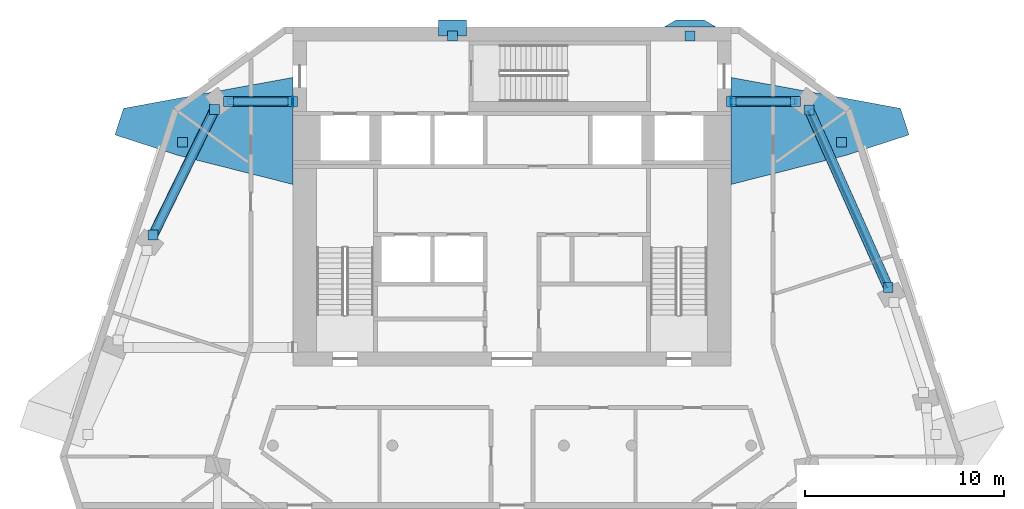
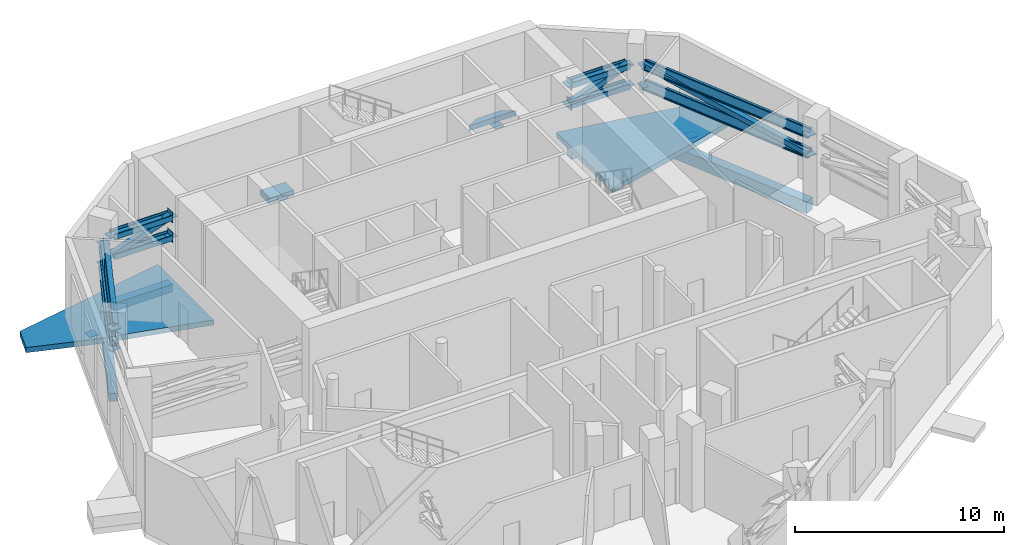
# One storey, part 5 of 15: 24 discrete accessories, 16 members, 4 beams.
"""IFC4 building model written with IfcOpenShell, lengths in metres."""

from ifc_helpers import new_model, si_unit, direction, frame, origin, origin_2d, place, context, subcontext, project, spatial, polyline, rectangle, hollow_rectangle, i_section, outline, extrude, material, layer, layer_set, material_profile, profile_set, type_object, element, aggregate, save


model = new_model("IFC4")

# Units and contexts
model_context = context("Model", 3, precision=1e-05, world=origin(), true_north=direction((0.0, 1.0)))
body_context = subcontext(model_context, "Body", "Model", "MODEL_VIEW")
ifc_project = project(units=[si_unit("LENGTHUNIT", "METRE"), si_unit("AREAUNIT", "SQUARE_METRE"), si_unit("VOLUMEUNIT", "CUBIC_METRE"), si_unit("PLANEANGLEUNIT", "RADIAN"), si_unit("MASSUNIT", "GRAM", prefix="KILO")], contexts=[model_context])

# Site, building, storey
site_placement = place(None, origin())
site = spatial("IfcSite", under=ifc_project, at=site_placement, CompositionType="ELEMENT")
building_placement = place(site_placement, origin())
building = spatial("IfcBuilding", under=site, at=building_placement, Name="White Candle Pilgrim Tower", CompositionType="ELEMENT")
storey_placement = place(building_placement, frame((0.0, 0.0, 295.10009765625)))
storey = spatial("IfcBuildingStorey", under=building, at=storey_placement, Name="L70", CompositionType="ELEMENT", Elevation=295.10009765625)

# Member
ifc_material_1 = material(Name="Steel S355", Category="steel")
ifc_material_profile_1 = material_profile(ifc_material_1, i_section(OverallWidth=0.305908203125, OverallDepth=0.52392578125, WebThickness=0.02099609375, FlangeThickness=0.0400390625, FilletRadius=0.027099609375, at=origin_2d()), Name="HEM 500")
ifc_profile_set_1 = profile_set([ifc_material_profile_1], Name="Steel S355")
member_type_1 = type_object("IfcMemberType", Name="Belt truss chord HEM 500 S355", PredefinedType="CHORD", material=ifc_profile_set_1)
member_1_placement = place(storey_placement, frame((88.876708984375, 74.9267578125, 2.411865234375), z_axis=(-0.406834969126, 0.913501673724, 0.0), x_axis=(0.834485855277, 0.371644669006, -0.406833623663)))
member_1 = element("IfcMember", 1, at=member_1_placement, inside=storey, type_object=member_type_1, Name="L70 belt truss bottom chord 09", PredefinedType="CHORD", context=body_context, shape_type="SweptSolid", body=[
    extrude(i_section(OverallWidth=0.305908203125, OverallDepth=0.52392578125, WebThickness=0.02099609375, FlangeThickness=0.0400390625, FilletRadius=0.027099609375, at=origin_2d()), origin(), (0.0, 0.0, 1.0), 9.755126953125),
])

member_2_placement = place(storey_placement, frame((88.876708984375, 74.9267578125, 3.577880859375), z_axis=(-0.406834969126, 0.913501673724, 0.0), x_axis=(0.834485855277, 0.371644669006, -0.406833623663)))
member_2 = element("IfcMember", 2, at=member_2_placement, inside=storey, type_object=member_type_1, Name="L70 belt truss top chord 09", PredefinedType="CHORD", context=body_context, shape_type="SweptSolid", body=[
    extrude(i_section(OverallWidth=0.305908203125, OverallDepth=0.52392578125, WebThickness=0.02099609375, FlangeThickness=0.0400390625, FilletRadius=0.027099609375, at=origin_2d()), origin(), (0.0, 0.0, 1.0), 9.755126953125),
])

member_3_placement = place(storey_placement, frame((84.2255859375, 84.260009765625, 2.411865234375), z_axis=(-1.0, 0.0, 0.0), x_axis=(0.0, 0.0, -1.0)))
member_3 = element("IfcMember", 3, at=member_3_placement, inside=storey, type_object=member_type_1, Name="L70 belt truss bottom chord 10", PredefinedType="CHORD", context=body_context, shape_type="SweptSolid", body=[
    extrude(i_section(OverallWidth=0.305908203125, OverallDepth=0.52392578125, WebThickness=0.02099609375, FlangeThickness=0.0400390625, FilletRadius=0.027099609375, at=origin_2d()), origin(), (0.0, 0.0, 1.0), 3.2255859375),
])

member_4_placement = place(storey_placement, frame((84.2255859375, 84.260009765625, 3.577880859375), z_axis=(-1.0, 0.0, 0.0), x_axis=(0.0, 0.0, -1.0)))
member_4 = element("IfcMember", 4, at=member_4_placement, inside=storey, type_object=member_type_1, Name="L70 belt truss top chord 10", PredefinedType="CHORD", context=body_context, shape_type="SweptSolid", body=[
    extrude(i_section(OverallWidth=0.305908203125, OverallDepth=0.52392578125, WebThickness=0.02099609375, FlangeThickness=0.0400390625, FilletRadius=0.027099609375, at=origin_2d()), origin(), (0.0, 0.0, 1.0), 3.2255859375),
])

member_5_placement = place(storey_placement, frame((55.7744140625, 84.260009765625, 2.411865234375), z_axis=(1.0, 0.0, 0.0), x_axis=(0.0, 0.0, 1.0)))
member_5 = element("IfcMember", 5, at=member_5_placement, inside=storey, type_object=member_type_1, Name="L70 belt truss bottom chord 11", PredefinedType="CHORD", context=body_context, shape_type="SweptSolid", body=[
    extrude(i_section(OverallWidth=0.305908203125, OverallDepth=0.52392578125, WebThickness=0.02099609375, FlangeThickness=0.0400390625, FilletRadius=0.027099609375, at=origin_2d()), origin(), (0.0, 0.0, 1.0), 3.2255859375),
])

member_6_placement = place(storey_placement, frame((55.7744140625, 84.260009765625, 3.577880859375), z_axis=(1.0, 0.0, 0.0), x_axis=(0.0, 0.0, 1.0)))
member_6 = element("IfcMember", 6, at=member_6_placement, inside=storey, type_object=member_type_1, Name="L70 belt truss top chord 11", PredefinedType="CHORD", context=body_context, shape_type="SweptSolid", body=[
    extrude(i_section(OverallWidth=0.305908203125, OverallDepth=0.52392578125, WebThickness=0.02099609375, FlangeThickness=0.0400390625, FilletRadius=0.027099609375, at=origin_2d()), origin(), (0.0, 0.0, 1.0), 3.2255859375),
])

member_7_placement = place(storey_placement, frame((55.080810546875, 83.853759765625, 2.411865234375), z_axis=(-0.440604884501, -0.897701139441, 0.0), x_axis=(0.805869253672, -0.395532448202, -0.440600531554)))
member_7 = element("IfcMember", 7, at=member_7_placement, inside=storey, type_object=member_type_1, Name="L70 belt truss bottom chord 12", PredefinedType="CHORD", context=body_context, shape_type="SweptSolid", body=[
    extrude(i_section(OverallWidth=0.305908203125, OverallDepth=0.52392578125, WebThickness=0.02099609375, FlangeThickness=0.0400390625, FilletRadius=0.027099609375, at=origin_2d()), origin(), (0.0, 0.0, 1.0), 7.01708984375),
])

member_8_placement = place(storey_placement, frame((55.080810546875, 83.853759765625, 3.577880859375), z_axis=(-0.440604884501, -0.897701139441, 0.0), x_axis=(0.805869253672, -0.395532448202, -0.440600531554)))
member_8 = element("IfcMember", 8, at=member_8_placement, inside=storey, type_object=member_type_1, Name="L70 belt truss top chord 12", PredefinedType="CHORD", context=body_context, shape_type="SweptSolid", body=[
    extrude(i_section(OverallWidth=0.305908203125, OverallDepth=0.52392578125, WebThickness=0.02099609375, FlangeThickness=0.0400390625, FilletRadius=0.027099609375, at=origin_2d()), origin(), (0.0, 0.0, 1.0), 7.01708984375),
])

# Members
ifc_material_profile_2 = material_profile(ifc_material_1, hollow_rectangle(XDim=0.300048828125, YDim=0.300048828125, WallThickness=0.01611328125, at=origin_2d()), Name="SHS 300x300x16")
ifc_profile_set_2 = profile_set([ifc_material_profile_2], Name="Steel S355")
member_type_2 = type_object("IfcMemberType", Name="Belt truss diagonal SHS 300x300x16 S355", PredefinedType="BRACE", material=ifc_profile_set_2)
member_9_placement = place(storey_placement, frame((88.876708984375, 74.9267578125, 2.411865234375), z_axis=(-0.403959539495, 0.90704522337, 0.118682994625), x_axis=(-0.913501673724, -0.406834969126, 0.0)))
element("IfcMember", 9, at=member_9_placement, inside=storey, type_object=member_type_2, Name="L70 belt truss diagonal 09", PredefinedType="BRACE", context=body_context, shape_type="SweptSolid", body=[
    extrude(hollow_rectangle(XDim=0.300048828125, YDim=0.300048828125, WallThickness=0.01611328125, at=origin_2d()), origin(), (0.0, 0.0, 1.0), 9.82470703125),
])
for number, where, z_axis, x_axis, name in (
    (10, (84.2255859375, 84.260009765625, 3.577880859375), (-0.940440152135, 0.0, -0.339959292052), (0.0, -1.0, 0.0), "L70 belt truss diagonal 10"),
    (11, (55.7744140625, 84.260009765625, 2.411865234375), (0.940440152135, 0.0, 0.339959292052), (0.0, 1.0, 0.0), "L70 belt truss diagonal 11"),
):
    element("IfcMember", number, at=place(storey_placement, frame(where, z_axis=z_axis, x_axis=x_axis)), inside=storey, type_object=member_type_2, Name=name, PredefinedType="BRACE", context=body_context, shape_type="SweptSolid", body=[
        extrude(hollow_rectangle(XDim=0.300048828125, YDim=0.300048828125, WallThickness=0.01611328125, at=origin_2d()), origin(), (0.0, 0.0, 1.0), 3.429931640625),
    ])
member_10_placement = place(storey_placement, frame((55.080810546875, 83.853759765625, 3.577880859375), z_axis=(-0.434645202791, -0.885558711499, -0.1639186267), x_axis=(0.897701139441, -0.440604884501, 0.0)))
element("IfcMember", 12, at=member_10_placement, inside=storey, type_object=member_type_2, Name="L70 belt truss diagonal 12", PredefinedType="BRACE", context=body_context, shape_type="SweptSolid", body=[
    extrude(hollow_rectangle(XDim=0.300048828125, YDim=0.300048828125, WallThickness=0.01611328125, at=origin_2d()), origin(), (0.0, 0.0, 1.0), 7.11328125),
])

# Member
ifc_material_2 = material(Name="Concrete C70/85, white", Category="concrete")
ifc_layer_1 = layer(ifc_material_2, 0.300048828125)
ifc_layer_set_1 = layer_set([ifc_layer_1], Name="Node tie strut 3350x1400x300 C70/85")
member_type_3 = type_object("IfcMemberType", Name="Node tie strut 3350x1400x300 C70/85", PredefinedType="STRUT", material=ifc_layer_set_1)
member_11_placement = place(storey_placement, frame((0.0, 0.0, -0.300048828125)))
member_11 = element("IfcMember", 13, at=member_11_placement, inside=storey, type_object=member_type_3, Name="Node tie strut NC240", PredefinedType="STRUT", context=body_context, shape_type="SweptSolid", body=[
    extrude(outline(polyline([(81.0, 80.1005859375), (86.737060546875, 81.551025390625), (89.923095703125, 82.586181640625), (89.490478515625, 83.91748046875), (81.0, 85.466064453125), (81.0, 80.1005859375)])), origin(), (0.0, 0.0, 1.0), 0.300048828125),
])

member_12_placement = place(storey_placement, frame((0.0, 0.0, -0.300048828125)))
member_12 = element("IfcMember", 14, at=member_12_placement, inside=storey, type_object=member_type_3, Name="Node tie strut NC247", PredefinedType="STRUT", context=body_context, shape_type="SweptSolid", body=[
    extrude(outline(polyline([(59.0, 80.1005859375), (59.0, 85.466064453125), (50.509521484375, 83.91748046875), (50.076904296875, 82.586181640625), (53.262939453125, 81.551025390625), (59.0, 80.1005859375)])), origin(), (0.0, 0.0, 1.0), 0.300048828125),
])

ifc_layer_2 = layer(ifc_material_2, 0.300048828125)
ifc_layer_set_2 = layer_set([ifc_layer_2], Name="Node tie strut 800x1400x300 C70/85")
member_type_4 = type_object("IfcMemberType", Name="Node tie strut 800x1400x300 C70/85", PredefinedType="STRUT", material=ifc_layer_set_2)
member_13_placement = place(storey_placement, frame((0.0, 0.0, -0.300048828125)))
member_13 = element("IfcMember", 15, at=member_13_placement, inside=storey, type_object=member_type_4, Name="Node tie strut NC241", PredefinedType="STRUT", context=body_context, shape_type="SweptSolid", body=[
    extrude(outline(polyline([(77.636962890625, 88.0), (80.237060546875, 88.0), (79.636962890625, 88.35009765625), (78.237060546875, 88.35009765625), (77.636962890625, 88.0)])), origin(), (0.0, 0.0, 1.0), 0.300048828125),
])

member_14_placement = place(storey_placement, frame((67.02099609375, 87.949951171875, -0.30029296875), z_axis=(0.0, 0.0, 1.0), x_axis=(-1.0, 0.0, 0.0)))
member_14 = element("IfcMember", 16, at=member_14_placement, inside=storey, type_object=member_type_4, Name="Node tie strut NC242", PredefinedType="STRUT", context=body_context, shape_type="SweptSolid", body=[
    extrude(rectangle(XDim=1.39990234375, YDim=0.800048828125, at=origin_2d()), origin(), (0.0, 0.0, 1.0), 0.300048828125),
])

# Beams
ifc_material_3 = material(Name="Concrete C50/60", Category="concrete")
ifc_material_profile_3 = material_profile(ifc_material_3, rectangle(XDim=0.449951171875, YDim=0.449951171875, at=origin_2d()), Name="RC-BM 450x450")
ifc_profile_set_3 = profile_set([ifc_material_profile_3], Name="Concrete C50/60")
beam_type_1 = type_object("IfcBeamType", Name="Spandrel beam RC-BM 450x450 C50/60", PredefinedType="BEAM", material=ifc_profile_set_3)
for number, where, z_axis, x_axis, name in (
    (17, (84.2255859375, 84.260009765625, -0.525146484375), (-1.0, 0.0, 0.0), (0.0, -1.0, 0.0), "L70 spandrel beam T10"),
    (18, (55.7744140625, 84.260009765625, -0.525146484375), (1.0, 0.0, 0.0), (0.0, 1.0, 0.0), "L70 spandrel beam T11"),
):
    element("IfcBeam", number, at=place(storey_placement, frame(where, z_axis=z_axis, x_axis=x_axis)), inside=storey, type_object=beam_type_1, Name=name, PredefinedType="BEAM", context=body_context, shape_type="SweptSolid", body=[
        extrude(rectangle(XDim=0.449951171875, YDim=0.449951171875, at=origin_2d()), origin(), (0.0, 0.0, 1.0), 3.2255859375),
    ])
beam_1_placement = place(storey_placement, frame((55.080810546875, 83.853759765625, -0.525146484375), z_axis=(-0.440604884501, -0.897701139441, 0.0), x_axis=(0.897701139441, -0.440604884501, 0.0)))
element("IfcBeam", 19, at=beam_1_placement, inside=storey, type_object=beam_type_1, Name="L70 spandrel beam T12", PredefinedType="BEAM", context=body_context, shape_type="SweptSolid", body=[
    extrude(rectangle(XDim=0.449951171875, YDim=0.449951171875, at=origin_2d()), origin(), (0.0, 0.0, 1.0), 7.01708984375),
])
ifc_material_profile_4 = material_profile(ifc_material_3, rectangle(XDim=0.5, YDim=0.699951171875, at=origin_2d()), Name="RC-BM 500x700")
ifc_profile_set_4 = profile_set([ifc_material_profile_4], Name="Concrete C50/60")
beam_type_2 = type_object("IfcBeamType", Name="Spandrel beam RC-BM 500x700 C50/60", PredefinedType="BEAM", material=ifc_profile_set_4)
beam_2_placement = place(storey_placement, frame((88.876708984375, 74.9267578125, -0.650146484375), z_axis=(-0.406834969126, 0.913501673724, 0.0), x_axis=(-0.913501673724, -0.406834969126, 0.0)))
element("IfcBeam", 20, at=beam_2_placement, inside=storey, type_object=beam_type_2, Name="L70 spandrel beam T09", PredefinedType="BEAM", context=body_context, shape_type="SweptSolid", body=[
    extrude(rectangle(XDim=0.5, YDim=0.699951171875, at=origin_2d()), origin(), (0.0, 0.0, 1.0), 9.755126953125),
])

# Discrete accessory
ifc_layer_3 = layer(ifc_material_1, 0.030029296875)
ifc_layer_set_3 = layer_set([ifc_layer_3], Name="Cast-in plate 500x600x30 S355")
discrete_accessory_type_1 = type_object("IfcDiscreteAccessoryType", Name="Cast-in plate 500x600x30 S355", PredefinedType="ANCHORPLATE", material=ifc_layer_set_3)
discrete_accessory_1_placement = place(storey_placement, frame((81.0, 84.260009765625, 2.11181640625), z_axis=(0.0, 0.0, 1.0), x_axis=(1.0, 0.0, 0.0)))
discrete_accessory_1 = element("IfcDiscreteAccessory", 21, at=discrete_accessory_1_placement, type_object=discrete_accessory_type_1, Name="Cast-in plate 0037", PredefinedType="ANCHORPLATE", context=body_context, shape_type="SweptSolid", body=[
    extrude(rectangle(XDim=0.030029296875, YDim=0.5, at=origin_2d()), origin(), (0.0, 0.0, 1.0), 0.60009765625),
])

discrete_accessory_2_placement = place(storey_placement, frame((81.0, 84.260009765625, 3.27783203125), z_axis=(0.0, 0.0, 1.0), x_axis=(1.0, 0.0, 0.0)))
discrete_accessory_2 = element("IfcDiscreteAccessory", 22, at=discrete_accessory_2_placement, type_object=discrete_accessory_type_1, Name="Cast-in plate 0038", PredefinedType="ANCHORPLATE", context=body_context, shape_type="SweptSolid", body=[
    extrude(rectangle(XDim=0.030029296875, YDim=0.5, at=origin_2d()), origin(), (0.0, 0.0, 1.0), 0.60009765625),
])

discrete_accessory_3_placement = place(storey_placement, frame((59.0, 84.260009765625, 2.11181640625), z_axis=(0.0, 0.0, 1.0), x_axis=(-1.0, 0.0, 0.0)))
discrete_accessory_3 = element("IfcDiscreteAccessory", 23, at=discrete_accessory_3_placement, type_object=discrete_accessory_type_1, Name="Cast-in plate 0039", PredefinedType="ANCHORPLATE", context=body_context, shape_type="SweptSolid", body=[
    extrude(rectangle(XDim=0.030029296875, YDim=0.5, at=origin_2d()), origin(), (0.0, 0.0, 1.0), 0.60009765625),
])

discrete_accessory_4_placement = place(storey_placement, frame((59.0, 84.260009765625, 3.27783203125), z_axis=(0.0, 0.0, 1.0), x_axis=(-1.0, 0.0, 0.0)))
discrete_accessory_4 = element("IfcDiscreteAccessory", 24, at=discrete_accessory_4_placement, type_object=discrete_accessory_type_1, Name="Cast-in plate 0040", PredefinedType="ANCHORPLATE", context=body_context, shape_type="SweptSolid", body=[
    extrude(rectangle(XDim=0.030029296875, YDim=0.5, at=origin_2d()), origin(), (0.0, 0.0, 1.0), 0.60009765625),
])

ifc_layer_4 = layer(ifc_material_1, 0.02490234375)
ifc_layer_set_4 = layer_set([ifc_layer_4], Name="Gusset plate 500x500x25 S355")
discrete_accessory_type_2 = type_object("IfcDiscreteAccessoryType", Name="Gusset plate 500x500x25 S355", PredefinedType="BRACKET", material=ifc_layer_set_4)
discrete_accessory_5_placement = place(storey_placement, frame((86.520751953125, 82.216796875, -0.16259765625), z_axis=(0.0, 0.0, 1.0), x_axis=(1.0, 0.0, 0.0)))
discrete_accessory_5 = element("IfcDiscreteAccessory", 25, at=discrete_accessory_5_placement, type_object=discrete_accessory_type_2, Name="Gusset plate 0621", PredefinedType="BRACKET", context=body_context, shape_type="SweptSolid", body=[
    extrude(rectangle(XDim=0.5, YDim=0.5, at=origin_2d()), origin(), (0.0, 0.0, 1.0), 0.02490234375),
])

aggregate(member_11, [discrete_accessory_5])

discrete_accessory_6_placement = place(storey_placement, frame((78.93701171875, 87.550048828125, -0.16259765625), z_axis=(0.0, 0.0, 1.0), x_axis=(1.0, 0.0, 0.0)))
discrete_accessory_6 = element("IfcDiscreteAccessory", 26, at=discrete_accessory_6_placement, type_object=discrete_accessory_type_2, Name="Gusset plate 0622", PredefinedType="BRACKET", context=body_context, shape_type="SweptSolid", body=[
    extrude(rectangle(XDim=0.5, YDim=0.5, at=origin_2d()), origin(), (0.0, 0.0, 1.0), 0.02490234375),
])

aggregate(member_13, [discrete_accessory_6])

discrete_accessory_7_placement = place(storey_placement, frame((67.02099609375, 87.550048828125, -0.16259765625), z_axis=(0.0, 0.0, 1.0), x_axis=(1.0, 0.0, 0.0)))
discrete_accessory_7 = element("IfcDiscreteAccessory", 27, at=discrete_accessory_7_placement, type_object=discrete_accessory_type_2, Name="Gusset plate 0623", PredefinedType="BRACKET", context=body_context, shape_type="SweptSolid", body=[
    extrude(rectangle(XDim=0.5, YDim=0.5, at=origin_2d()), origin(), (0.0, 0.0, 1.0), 0.02490234375),
])

aggregate(member_14, [discrete_accessory_7])

discrete_accessory_8_placement = place(storey_placement, frame((53.479248046875, 82.216796875, -0.16259765625), z_axis=(0.0, 0.0, 1.0), x_axis=(1.0, 0.0, 0.0)))
discrete_accessory_8 = element("IfcDiscreteAccessory", 28, at=discrete_accessory_8_placement, type_object=discrete_accessory_type_2, Name="Gusset plate 0628", PredefinedType="BRACKET", context=body_context, shape_type="SweptSolid", body=[
    extrude(rectangle(XDim=0.5, YDim=0.5, at=origin_2d()), origin(), (0.0, 0.0, 1.0), 0.02490234375),
])

aggregate(member_12, [discrete_accessory_8])

discrete_accessory_9_placement = place(storey_placement, frame((88.876708984375, 74.9267578125, 2.3994140625), z_axis=(0.0, 0.0, 1.0), x_axis=(1.0, 0.0, 0.0)))
discrete_accessory_9 = element("IfcDiscreteAccessory", 29, at=discrete_accessory_9_placement, type_object=discrete_accessory_type_2, Name="Gusset plate 0930", PredefinedType="BRACKET", context=body_context, shape_type="SweptSolid", body=[
    extrude(rectangle(XDim=0.5, YDim=0.5, at=origin_2d()), origin(), (0.0, 0.0, 1.0), 0.02490234375),
])

discrete_accessory_10_placement = place(storey_placement, frame((84.907958984375, 83.838134765625, 2.3994140625), z_axis=(0.0, 0.0, 1.0), x_axis=(1.0, 0.0, 0.0)))
discrete_accessory_10 = element("IfcDiscreteAccessory", 30, at=discrete_accessory_10_placement, type_object=discrete_accessory_type_2, Name="Gusset plate 0931", PredefinedType="BRACKET", context=body_context, shape_type="SweptSolid", body=[
    extrude(rectangle(XDim=0.5, YDim=0.5, at=origin_2d()), origin(), (0.0, 0.0, 1.0), 0.02490234375),
])

aggregate(member_1, [discrete_accessory_9, discrete_accessory_10])

discrete_accessory_11_placement = place(storey_placement, frame((88.876708984375, 74.9267578125, 3.5654296875), z_axis=(0.0, 0.0, 1.0), x_axis=(1.0, 0.0, 0.0)))
discrete_accessory_11 = element("IfcDiscreteAccessory", 31, at=discrete_accessory_11_placement, type_object=discrete_accessory_type_2, Name="Gusset plate 0932", PredefinedType="BRACKET", context=body_context, shape_type="SweptSolid", body=[
    extrude(rectangle(XDim=0.5, YDim=0.5, at=origin_2d()), origin(), (0.0, 0.0, 1.0), 0.02490234375),
])

discrete_accessory_12_placement = place(storey_placement, frame((84.907958984375, 83.838134765625, 3.5654296875), z_axis=(0.0, 0.0, 1.0), x_axis=(1.0, 0.0, 0.0)))
discrete_accessory_12 = element("IfcDiscreteAccessory", 32, at=discrete_accessory_12_placement, type_object=discrete_accessory_type_2, Name="Gusset plate 0933", PredefinedType="BRACKET", context=body_context, shape_type="SweptSolid", body=[
    extrude(rectangle(XDim=0.5, YDim=0.5, at=origin_2d()), origin(), (0.0, 0.0, 1.0), 0.02490234375),
])

aggregate(member_2, [discrete_accessory_11, discrete_accessory_12])

discrete_accessory_13_placement = place(storey_placement, frame((84.2255859375, 84.260009765625, 2.3994140625), z_axis=(0.0, 0.0, 1.0), x_axis=(1.0, 0.0, 0.0)))
discrete_accessory_13 = element("IfcDiscreteAccessory", 33, at=discrete_accessory_13_placement, type_object=discrete_accessory_type_2, Name="Gusset plate 0934", PredefinedType="BRACKET", context=body_context, shape_type="SweptSolid", body=[
    extrude(rectangle(XDim=0.5, YDim=0.5, at=origin_2d()), origin(), (0.0, 0.0, 1.0), 0.02490234375),
])

discrete_accessory_14_placement = place(storey_placement, frame((81.0, 84.260009765625, 2.3994140625), z_axis=(0.0, 0.0, 1.0), x_axis=(1.0, 0.0, 0.0)))
discrete_accessory_14 = element("IfcDiscreteAccessory", 34, at=discrete_accessory_14_placement, type_object=discrete_accessory_type_2, Name="Gusset plate 0935", PredefinedType="BRACKET", context=body_context, shape_type="SweptSolid", body=[
    extrude(rectangle(XDim=0.5, YDim=0.5, at=origin_2d()), origin(), (0.0, 0.0, 1.0), 0.02490234375),
])

aggregate(member_3, [discrete_accessory_13, discrete_accessory_14, discrete_accessory_1])

discrete_accessory_15_placement = place(storey_placement, frame((84.2255859375, 84.260009765625, 3.5654296875), z_axis=(0.0, 0.0, 1.0), x_axis=(1.0, 0.0, 0.0)))
discrete_accessory_15 = element("IfcDiscreteAccessory", 35, at=discrete_accessory_15_placement, type_object=discrete_accessory_type_2, Name="Gusset plate 0936", PredefinedType="BRACKET", context=body_context, shape_type="SweptSolid", body=[
    extrude(rectangle(XDim=0.5, YDim=0.5, at=origin_2d()), origin(), (0.0, 0.0, 1.0), 0.02490234375),
])

discrete_accessory_16_placement = place(storey_placement, frame((81.0, 84.260009765625, 3.5654296875), z_axis=(0.0, 0.0, 1.0), x_axis=(1.0, 0.0, 0.0)))
discrete_accessory_16 = element("IfcDiscreteAccessory", 36, at=discrete_accessory_16_placement, type_object=discrete_accessory_type_2, Name="Gusset plate 0937", PredefinedType="BRACKET", context=body_context, shape_type="SweptSolid", body=[
    extrude(rectangle(XDim=0.5, YDim=0.5, at=origin_2d()), origin(), (0.0, 0.0, 1.0), 0.02490234375),
])

aggregate(member_4, [discrete_accessory_15, discrete_accessory_16, discrete_accessory_2])

discrete_accessory_17_placement = place(storey_placement, frame((55.7744140625, 84.260009765625, 2.3994140625), z_axis=(0.0, 0.0, 1.0), x_axis=(1.0, 0.0, 0.0)))
discrete_accessory_17 = element("IfcDiscreteAccessory", 37, at=discrete_accessory_17_placement, type_object=discrete_accessory_type_2, Name="Gusset plate 0938", PredefinedType="BRACKET", context=body_context, shape_type="SweptSolid", body=[
    extrude(rectangle(XDim=0.5, YDim=0.5, at=origin_2d()), origin(), (0.0, 0.0, 1.0), 0.02490234375),
])

discrete_accessory_18_placement = place(storey_placement, frame((59.0, 84.260009765625, 2.3994140625), z_axis=(0.0, 0.0, 1.0), x_axis=(1.0, 0.0, 0.0)))
discrete_accessory_18 = element("IfcDiscreteAccessory", 38, at=discrete_accessory_18_placement, type_object=discrete_accessory_type_2, Name="Gusset plate 0939", PredefinedType="BRACKET", context=body_context, shape_type="SweptSolid", body=[
    extrude(rectangle(XDim=0.5, YDim=0.5, at=origin_2d()), origin(), (0.0, 0.0, 1.0), 0.02490234375),
])

aggregate(member_5, [discrete_accessory_17, discrete_accessory_18, discrete_accessory_3])

discrete_accessory_19_placement = place(storey_placement, frame((55.7744140625, 84.260009765625, 3.5654296875), z_axis=(0.0, 0.0, 1.0), x_axis=(1.0, 0.0, 0.0)))
discrete_accessory_19 = element("IfcDiscreteAccessory", 39, at=discrete_accessory_19_placement, type_object=discrete_accessory_type_2, Name="Gusset plate 0940", PredefinedType="BRACKET", context=body_context, shape_type="SweptSolid", body=[
    extrude(rectangle(XDim=0.5, YDim=0.5, at=origin_2d()), origin(), (0.0, 0.0, 1.0), 0.02490234375),
])

discrete_accessory_20_placement = place(storey_placement, frame((59.0, 84.260009765625, 3.5654296875), z_axis=(0.0, 0.0, 1.0), x_axis=(1.0, 0.0, 0.0)))
discrete_accessory_20 = element("IfcDiscreteAccessory", 40, at=discrete_accessory_20_placement, type_object=discrete_accessory_type_2, Name="Gusset plate 0941", PredefinedType="BRACKET", context=body_context, shape_type="SweptSolid", body=[
    extrude(rectangle(XDim=0.5, YDim=0.5, at=origin_2d()), origin(), (0.0, 0.0, 1.0), 0.02490234375),
])

aggregate(member_6, [discrete_accessory_19, discrete_accessory_20, discrete_accessory_4])

discrete_accessory_21_placement = place(storey_placement, frame((55.080810546875, 83.853759765625, 2.3994140625), z_axis=(0.0, 0.0, 1.0), x_axis=(1.0, 0.0, 0.0)))
discrete_accessory_21 = element("IfcDiscreteAccessory", 41, at=discrete_accessory_21_placement, type_object=discrete_accessory_type_2, Name="Gusset plate 0942", PredefinedType="BRACKET", context=body_context, shape_type="SweptSolid", body=[
    extrude(rectangle(XDim=0.5, YDim=0.5, at=origin_2d()), origin(), (0.0, 0.0, 1.0), 0.02490234375),
])

discrete_accessory_22_placement = place(storey_placement, frame((51.989013671875, 77.554443359375, 2.3994140625), z_axis=(0.0, 0.0, 1.0), x_axis=(1.0, 0.0, 0.0)))
discrete_accessory_22 = element("IfcDiscreteAccessory", 42, at=discrete_accessory_22_placement, type_object=discrete_accessory_type_2, Name="Gusset plate 0943", PredefinedType="BRACKET", context=body_context, shape_type="SweptSolid", body=[
    extrude(rectangle(XDim=0.5, YDim=0.5, at=origin_2d()), origin(), (0.0, 0.0, 1.0), 0.02490234375),
])

aggregate(member_7, [discrete_accessory_21, discrete_accessory_22])

discrete_accessory_23_placement = place(storey_placement, frame((55.080810546875, 83.853759765625, 3.5654296875), z_axis=(0.0, 0.0, 1.0), x_axis=(1.0, 0.0, 0.0)))
discrete_accessory_23 = element("IfcDiscreteAccessory", 43, at=discrete_accessory_23_placement, type_object=discrete_accessory_type_2, Name="Gusset plate 0944", PredefinedType="BRACKET", context=body_context, shape_type="SweptSolid", body=[
    extrude(rectangle(XDim=0.5, YDim=0.5, at=origin_2d()), origin(), (0.0, 0.0, 1.0), 0.02490234375),
])

discrete_accessory_24_placement = place(storey_placement, frame((51.989013671875, 77.554443359375, 3.5654296875), z_axis=(0.0, 0.0, 1.0), x_axis=(1.0, 0.0, 0.0)))
discrete_accessory_24 = element("IfcDiscreteAccessory", 44, at=discrete_accessory_24_placement, type_object=discrete_accessory_type_2, Name="Gusset plate 0945", PredefinedType="BRACKET", context=body_context, shape_type="SweptSolid", body=[
    extrude(rectangle(XDim=0.5, YDim=0.5, at=origin_2d()), origin(), (0.0, 0.0, 1.0), 0.02490234375),
])

aggregate(member_8, [discrete_accessory_23, discrete_accessory_24])

save(model, "model.ifc")
